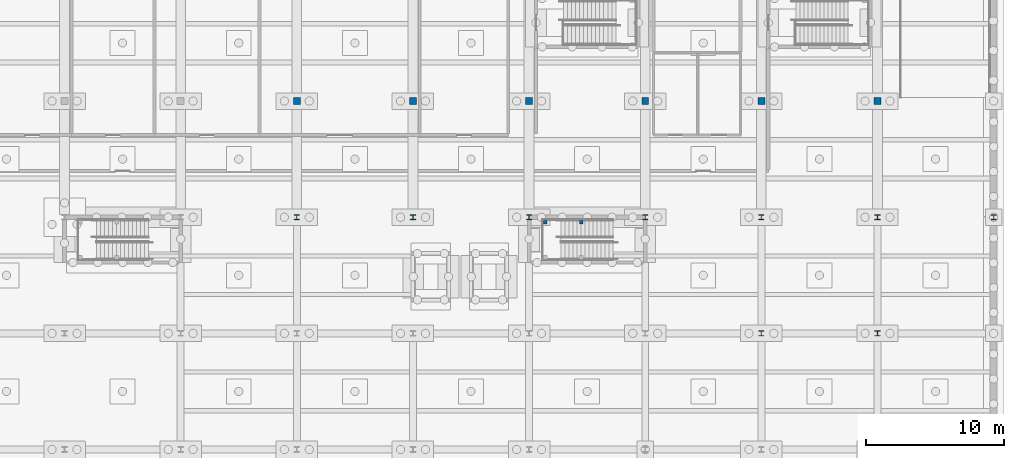
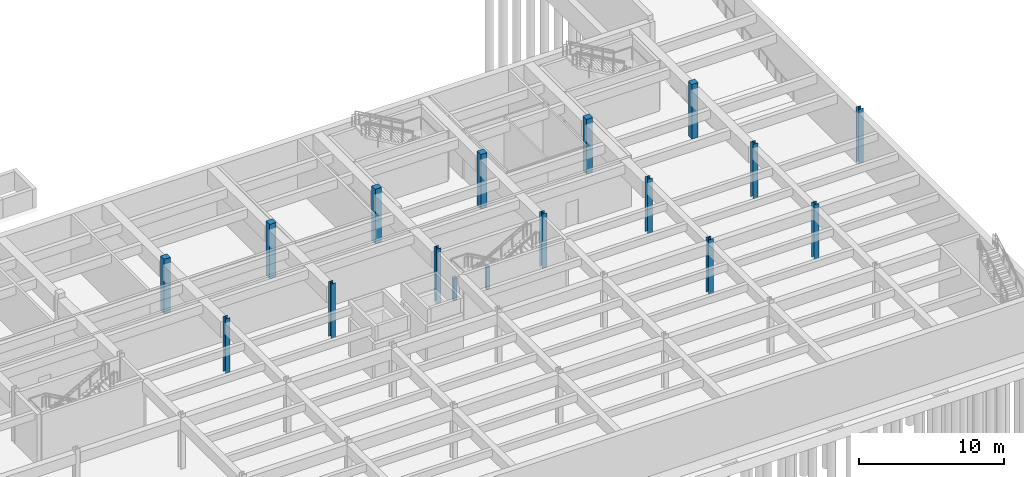
# One storey, part 16 of 33: 17 columns.
"""IFC4 building model written with IfcOpenShell, lengths in metres."""

from ifc_helpers import new_model, si_unit, direction, frame, origin, origin_2d, place, context, subcontext, project, spatial, rectangle, i_section, extrude, material, material_profile, profile_set, type_object, element, save


model = new_model("IFC4")

# Units and contexts
model_context = context("Model", 3, precision=1e-05, world=origin(), true_north=direction((0.0, 1.0)))
body_context = subcontext(model_context, "Body", "Model", "MODEL_VIEW")
ifc_project = project(units=[si_unit("LENGTHUNIT", "METRE"), si_unit("AREAUNIT", "SQUARE_METRE"), si_unit("VOLUMEUNIT", "CUBIC_METRE"), si_unit("PLANEANGLEUNIT", "RADIAN"), si_unit("MASSUNIT", "GRAM", prefix="KILO")], contexts=[model_context])

# Site, building, storey
site_placement = place(None, origin())
site = spatial("IfcSite", under=ifc_project, at=site_placement, CompositionType="ELEMENT")
building_placement = place(site_placement, origin())
building = spatial("IfcBuilding", under=site, at=building_placement, Name="Ljudholm Concert House", CompositionType="ELEMENT")
storey_placement = place(building_placement, frame((0.0, 0.0, -4.60009765625)))
storey = spatial("IfcBuildingStorey", under=building, at=storey_placement, Name="B1", CompositionType="ELEMENT", Elevation=-4.60009765625)

# Columns
ifc_material_1 = material(Name="Concrete 6,500 psi", Category="concrete")
ifc_material_profile_1 = material_profile(ifc_material_1, rectangle(XDim=0.25, YDim=0.25, at=origin_2d()), Name="RC COLUMN 250x250")
ifc_profile_set_1 = profile_set([ifc_material_profile_1], Name="Concrete 6,500 psi")
column_type_1 = type_object("IfcColumnType", Name="RC COLUMN 250x250", PredefinedType="COLUMN", material=ifc_profile_set_1)
for number, where, z_axis, x_axis, name in (
    (1, (89.155029296875, 129.64990234375, 0.0), (0.0, 0.0, 1.0), (1.0, 0.0, 0.0), "Landing support column"),
    (2, (91.762939453125, 129.64990234375, 0.0), (0.0, 0.0, 1.0), (1.0, 0.0, 0.0), "Landing support column"),
):
    element("IfcColumn", number, at=place(storey_placement, frame(where, z_axis=z_axis, x_axis=x_axis)), inside=storey, type_object=column_type_1, Name=name, PredefinedType="COLUMN", context=body_context, shape_type="SweptSolid", body=[
        extrude(rectangle(XDim=0.25, YDim=0.25, at=origin_2d()), origin(), (0.0, 0.0, 1.0), 1.89013671875),
    ])
ifc_material_2 = material(Name="Concrete 6,500 psi", Category="concrete")
ifc_material_profile_2 = material_profile(ifc_material_2, rectangle(XDim=0.5, YDim=0.5, at=origin_2d()), Name="RC COLUMN 500x500")
ifc_profile_set_2 = profile_set([ifc_material_profile_2], Name="Concrete 6,500 psi")
column_type_2 = type_object("IfcColumnType", Name="RC COLUMN 500x500", PredefinedType="COLUMN", material=ifc_profile_set_2)
for number, where, z_axis, x_axis, name in (
    (3, (71.199951171875, 138.39990234375, 0.0), (0.0, 0.0, 1.0), (1.0, 0.0, 0.0), "Basement column"),
    (4, (79.60009765625, 138.39990234375, 0.0), (0.0, 0.0, 1.0), (1.0, 0.0, 0.0), "Basement column"),
    (5, (88.0, 138.39990234375, 0.0), (0.0, 0.0, 1.0), (1.0, 0.0, 0.0), "Basement column"),
    (6, (96.39990234375, 138.39990234375, 0.0), (0.0, 0.0, 1.0), (1.0, 0.0, 0.0), "Basement column"),
    (7, (104.800048828125, 138.39990234375, 0.0), (0.0, 0.0, 1.0), (1.0, 0.0, 0.0), "Basement column"),
    (8, (113.199951171875, 138.39990234375, 0.0), (0.0, 0.0, 1.0), (1.0, 0.0, 0.0), "Basement column"),
):
    element("IfcColumn", number, at=place(storey_placement, frame(where, z_axis=z_axis, x_axis=x_axis)), inside=storey, type_object=column_type_2, Name=name, PredefinedType="COLUMN", context=body_context, shape_type="SweptSolid", body=[
        extrude(rectangle(XDim=0.5, YDim=0.5, at=origin_2d()), origin(), (0.0, 0.0, 1.0), 4.60009765625),
    ])
ifc_material_3 = material(Name="Steel ASTM A992", Category="steel")
ifc_material_profile_3 = material_profile(ifc_material_3, i_section(OverallWidth=0.373291015625, OverallDepth=0.373291015625, WebThickness=0.016357421875, FlangeThickness=0.026123046875, FilletRadius=0.01513671875, at=origin_2d()), Name="W14X132")
ifc_profile_set_3 = profile_set([ifc_material_profile_3], Name="Steel ASTM A992")
column_type_3 = type_object("IfcColumnType", Name="STEEL COLUMN W14X132", PredefinedType="COLUMN", material=ifc_profile_set_3)
for number, where, z_axis, x_axis, name in (
    (9, (71.199951171875, 130.0, 0.0), (0.0, 0.0, 1.0), (1.0, 0.0, 0.0), "Basement column"),
    (10, (79.60009765625, 130.0, 0.0), (0.0, 0.0, 1.0), (1.0, 0.0, 0.0), "Basement column"),
    (11, (88.0, 130.0, 0.0), (0.0, 0.0, 1.0), (1.0, 0.0, 0.0), "Basement column"),
    (12, (96.39990234375, 130.0, 0.0), (0.0, 0.0, 1.0), (1.0, 0.0, 0.0), "Basement column"),
    (13, (104.800048828125, 121.60009765625, 0.0), (0.0, 0.0, 1.0), (1.0, 0.0, 0.0), "Basement column"),
    (14, (104.800048828125, 130.0, 0.0), (0.0, 0.0, 1.0), (1.0, 0.0, 0.0), "Basement column"),
    (15, (113.199951171875, 121.60009765625, 0.0), (0.0, 0.0, 1.0), (1.0, 0.0, 0.0), "Basement column"),
    (16, (113.199951171875, 130.0, 0.0), (0.0, 0.0, 1.0), (1.0, 0.0, 0.0), "Basement column"),
    (17, (121.60009765625, 130.0, 0.0), (0.0, 0.0, 1.0), (1.0, 0.0, 0.0), "Basement column"),
):
    element("IfcColumn", number, at=place(storey_placement, frame(where, z_axis=z_axis, x_axis=x_axis)), inside=storey, type_object=column_type_3, Name=name, PredefinedType="COLUMN", context=body_context, shape_type="SweptSolid", body=[
        extrude(i_section(OverallWidth=0.373291015625, OverallDepth=0.373291015625, WebThickness=0.016357421875, FlangeThickness=0.026123046875, FilletRadius=0.01513671875, at=origin_2d()), origin(), (0.0, 0.0, 1.0), 4.60009765625),
    ])

save(model, "model.ifc")
